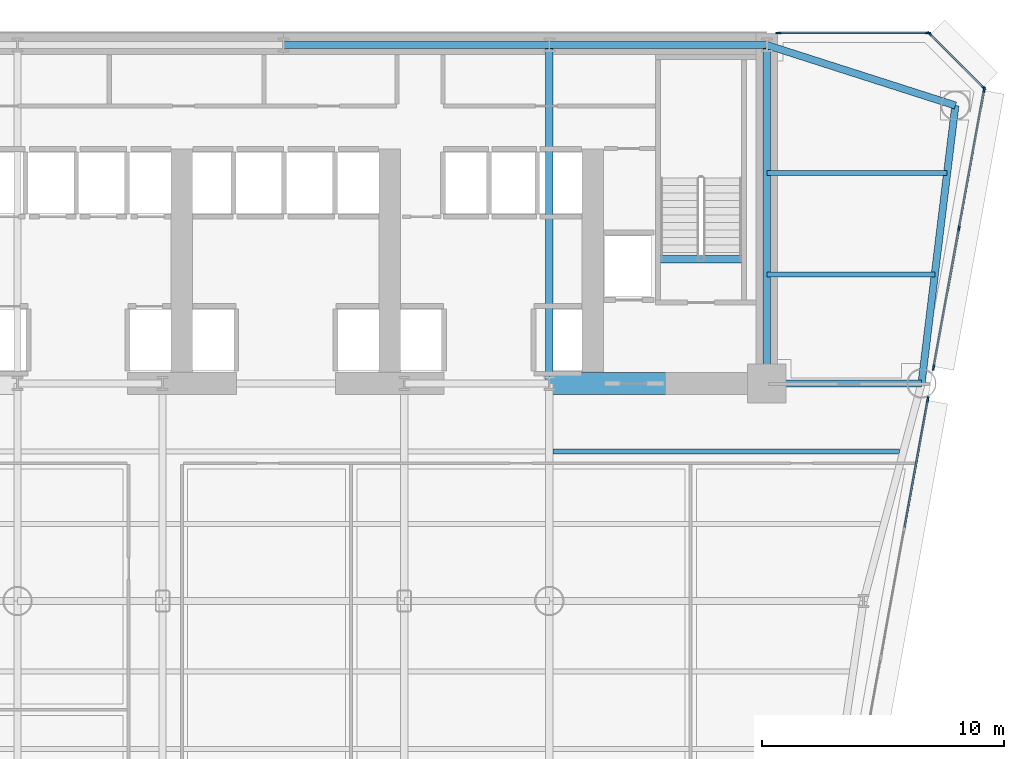
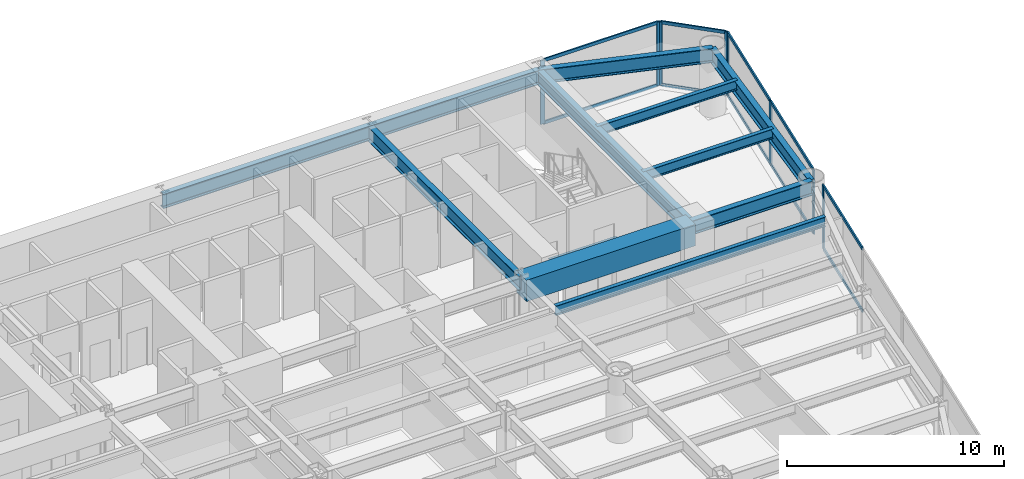
# One storey, part 6 of 14: 18 members, 12 beams, 4 elements without a shape of their own.
"""IFC4 building model written with IfcOpenShell, lengths in metres."""

from ifc_helpers import new_model, si_unit, direction, frame, origin, origin_2d, place, context, subcontext, project, spatial, rectangle, i_section, extrude, source, transform, mapped, material, layer, layer_set, material_profile, profile_set, type_object, element, aggregate, save


model = new_model("IFC4")

# Units and contexts
model_context = context("Model", 3, precision=1e-05, world=origin(), true_north=direction((0.0, 1.0)))
body_context = subcontext(model_context, "Body", "Model", "MODEL_VIEW")
ifc_project = project(units=[si_unit("LENGTHUNIT", "METRE"), si_unit("AREAUNIT", "SQUARE_METRE"), si_unit("VOLUMEUNIT", "CUBIC_METRE"), si_unit("PLANEANGLEUNIT", "RADIAN"), si_unit("MASSUNIT", "GRAM", prefix="KILO")], contexts=[model_context])

# Site, building, storey
site_placement = place(None, origin())
site = spatial("IfcSite", under=ifc_project, at=site_placement, CompositionType="ELEMENT")
building_placement = place(site_placement, origin())
building = spatial("IfcBuilding", under=site, at=building_placement, Name="Vaeldorn Concourse Tower", CompositionType="ELEMENT")
storey_placement = place(building_placement, frame((0.0, 0.0, 41.60009765625)))
storey = spatial("IfcBuildingStorey", under=building, at=storey_placement, Name="L10", CompositionType="ELEMENT", Elevation=41.60009765625)

# Beams
ifc_material_1 = material(Name="Concrete C60/75", Category="concrete")
ifc_material_profile_1 = material_profile(ifc_material_1, rectangle(XDim=0.89990234375, YDim=1.199951171875, at=origin_2d()), Name="RC 900x1200")
ifc_profile_set_1 = profile_set([ifc_material_profile_1], Name="Concrete C60/75")
beam_type_1 = type_object("IfcBeamType", Name="BM-CB-RC900", PredefinedType="BEAM", material=ifc_profile_set_1)
shared_shape_1 = source(origin(), body_context, "Body", "SweptSolid", [
    extrude(rectangle(XDim=0.89990234375, YDim=1.199951171875, at=origin_2d()), origin(), (0.0, 0.0, 1.0), 9.0),
])
beam_1_placement = place(storey_placement, frame((45.0, 36.5, 2.97998046875), z_axis=(1.0, 0.0, 0.0), x_axis=(0.0, 1.0, 0.0)))
element("IfcBeam", 1, at=beam_1_placement, inside=storey, type_object=beam_type_1, Name="Core Coupling Beam L10-2", PredefinedType="BEAM", context=body_context, shape_type="MappedRepresentation", body=[
    mapped(shared_shape_1, transform((0.0, 0.0, 0.0), scale=1.0)),
])
ifc_material_2 = material(Name="Steel S355", Category="steel")
ifc_material_profile_2 = material_profile(ifc_material_2, i_section(OverallWidth=0.300048828125, OverallDepth=0.340087890625, WebThickness=0.011962890625, FlangeThickness=0.021484375, FilletRadius=0.027099609375, at=origin_2d()), Name="HEB 340")
ifc_profile_set_2 = profile_set([ifc_material_profile_2], Name="Steel S355")
beam_type_2 = type_object("IfcBeamType", Name="BM-ST-TRIM", PredefinedType="BEAM", material=ifc_profile_set_2)
shared_shape_2 = source(origin(), body_context, "Body", "SweptSolid", [
    extrude(i_section(OverallWidth=0.300048828125, OverallDepth=0.340087890625, WebThickness=0.011962890625, FlangeThickness=0.021484375, FilletRadius=0.027099609375, at=origin_2d()), origin(), (0.0, 0.0, 1.0), 3.590087890625),
])
beam_2_placement = place(storey_placement, frame((49.47998046875, 41.639892578125, -0.39013671875), z_axis=(1.0, 0.0, 0.0), x_axis=(0.0, 1.0, 0.0)))
element("IfcBeam", 2, at=beam_2_placement, inside=storey, type_object=beam_type_2, Name="Stair Landing Trimmer Beam ST-2 L10", PredefinedType="BEAM", context=body_context, shape_type="MappedRepresentation", body=[
    mapped(shared_shape_2, transform((0.0, 0.0, 0.0), scale=1.0)),
])
ifc_material_profile_3 = material_profile(ifc_material_2, i_section(OverallWidth=0.300048828125, OverallDepth=0.800048828125, WebThickness=0.017578125, FlangeThickness=0.032958984375, FilletRadius=0.030029296875, at=origin_2d()), Name="HEB 800")
ifc_profile_set_3 = profile_set([ifc_material_profile_3], Name="Steel S355")
beam_type_3 = type_object("IfcBeamType", Name="BM-PG-HEB800", PredefinedType="BEAM", material=ifc_profile_set_3)
shared_shape_3 = source(origin(), body_context, "Body", "SweptSolid", [
    extrude(i_section(OverallWidth=0.300048828125, OverallDepth=0.800048828125, WebThickness=0.017578125, FlangeThickness=0.032958984375, FilletRadius=0.030029296875, at=origin_2d()), origin(), (0.0, 0.0, 1.0), 9.0),
])
beam_3_placement = place(storey_placement, frame((45.0, 50.5, 3.179931640625), z_axis=(1.0, 0.0, 0.0), x_axis=(0.0, 1.0, 0.0)))
element("IfcBeam", 3, at=beam_3_placement, inside=storey, type_object=beam_type_3, Name="Beam BM-L10-C-HC4-C-HC5", PredefinedType="BEAM", context=body_context, shape_type="MappedRepresentation", body=[
    mapped(shared_shape_3, transform((0.0, 0.0, 0.0), scale=1.0)),
])
shared_shape_4 = source(origin(), body_context, "Body", "SweptSolid", [
    extrude(i_section(OverallWidth=0.300048828125, OverallDepth=0.800048828125, WebThickness=0.017578125, FlangeThickness=0.032958984375, FilletRadius=0.030029296875, at=origin_2d()), origin(), (0.0, 0.0, 1.0), 11.0),
])
beam_4_placement = place(storey_placement, frame((34.0, 50.5, 3.179931640625), z_axis=(1.0, 0.0, 0.0), x_axis=(0.0, 1.0, 0.0)))
element("IfcBeam", 4, at=beam_4_placement, inside=storey, type_object=beam_type_3, Name="Beam BM-L10-C-HC3-C-HC4", PredefinedType="BEAM", context=body_context, shape_type="MappedRepresentation", body=[
    mapped(shared_shape_4, transform((0.0, 0.0, 0.0), scale=1.0)),
])
shared_shape_5 = source(origin(), body_context, "Body", "SweptSolid", [
    extrude(i_section(OverallWidth=0.300048828125, OverallDepth=0.800048828125, WebThickness=0.017578125, FlangeThickness=0.032958984375, FilletRadius=0.030029296875, at=origin_2d()), origin(), (0.0, 0.0, 1.0), 14.0),
])
for number, where, z_axis, x_axis, name in (
    (5, (45.0, 36.5, 3.179931640625), (0.0, 1.0, 0.0), (-1.0, 0.0, 0.0), "Beam BM-L10-C-FC5-C-HC4"),
    (6, (54.0, 36.5, 3.179931640625), (0.0, 1.0, 0.0), (-1.0, 0.0, 0.0), "Beam BM-L10-C-FC6-C-HC5"),
):
    element("IfcBeam", number, at=place(storey_placement, frame(where, z_axis=z_axis, x_axis=x_axis)), inside=storey, type_object=beam_type_3, Name=name, PredefinedType="BEAM", context=body_context, shape_type="MappedRepresentation", body=[
        mapped(shared_shape_5, transform((0.0, 0.0, 0.0), scale=1.0)),
    ])
shared_shape_6 = source(origin(), body_context, "Body", "SweptSolid", [
    extrude(i_section(OverallWidth=0.300048828125, OverallDepth=0.800048828125, WebThickness=0.017578125, FlangeThickness=0.032958984375, FilletRadius=0.030029296875, at=origin_2d()), origin(), (0.0, 0.0, 1.0), 8.19091796875),
])
beam_5_placement = place(storey_placement, frame((54.0, 50.5, 3.179931640625), z_axis=(0.952282843383, -0.305216949396, 0.0), x_axis=(0.305216949396, 0.952282843383, 0.0)))
element("IfcBeam", 7, at=beam_5_placement, inside=storey, type_object=beam_type_3, Name="Beam BM-L10-C-HC5-C-NE1", PredefinedType="BEAM", context=body_context, shape_type="MappedRepresentation", body=[
    mapped(shared_shape_6, transform((0.0, 0.0, 0.0), scale=1.0)),
])
shared_shape_7 = source(origin(), body_context, "Body", "SweptSolid", [
    extrude(i_section(OverallWidth=0.300048828125, OverallDepth=0.800048828125, WebThickness=0.017578125, FlangeThickness=0.032958984375, FilletRadius=0.030029296875, at=origin_2d()), origin(), (0.0, 0.0, 1.0), 11.5849609375),
])
beam_6_placement = place(storey_placement, frame((61.800048828125, 48.0, 3.179931640625), z_axis=(-0.120859382899, -0.992669637677, 0.0), x_axis=(0.992669637677, -0.120859382899, 0.0)))
element("IfcBeam", 8, at=beam_6_placement, inside=storey, type_object=beam_type_3, Name="Beam BM-L10-C-NE1-C-NE2", PredefinedType="BEAM", context=body_context, shape_type="MappedRepresentation", body=[
    mapped(shared_shape_7, transform((0.0, 0.0, 0.0), scale=1.0)),
])
shared_shape_8 = source(origin(), body_context, "Body", "SweptSolid", [
    extrude(i_section(OverallWidth=0.300048828125, OverallDepth=0.800048828125, WebThickness=0.017578125, FlangeThickness=0.032958984375, FilletRadius=0.030029296875, at=origin_2d()), origin(), (0.0, 0.0, 1.0), 6.39990234375),
])
beam_7_placement = place(storey_placement, frame((54.0, 36.5, 3.179931640625), z_axis=(1.0, 0.0, 0.0), x_axis=(0.0, 1.0, 0.0)))
element("IfcBeam", 9, at=beam_7_placement, inside=storey, type_object=beam_type_3, Name="Beam BM-L10-C-FC6-C-NE2", PredefinedType="BEAM", context=body_context, shape_type="MappedRepresentation", body=[
    mapped(shared_shape_8, transform((0.0, 0.0, 0.0), scale=1.0)),
])
ifc_material_profile_4 = material_profile(ifc_material_2, i_section(OverallWidth=0.2099609375, OverallDepth=0.550048828125, WebThickness=0.010986328125, FlangeThickness=0.01708984375, FilletRadius=0.02392578125, at=origin_2d()), Name="IPE 550")
ifc_profile_set_4 = profile_set([ifc_material_profile_4], Name="Steel S355")
beam_type_4 = type_object("IfcBeamType", Name="BM-JS-IPE550", PredefinedType="JOIST", material=ifc_profile_set_4)
shared_shape_9 = source(origin(), body_context, "Body", "SweptSolid", [
    extrude(i_section(OverallWidth=0.2099609375, OverallDepth=0.550048828125, WebThickness=0.010986328125, FlangeThickness=0.01708984375, FilletRadius=0.02392578125, at=origin_2d()), origin(), (0.0, 0.0, 1.0), 6.94775390625),
])
beam_8_placement = place(storey_placement, frame((54.0, 41.0, 3.304931640625), z_axis=(1.0, 0.0, 0.0), x_axis=(0.0, 1.0, 0.0)))
element("IfcBeam", 10, at=beam_8_placement, inside=storey, type_object=beam_type_4, Name="Beam JS-L10-NE-410", PredefinedType="JOIST", context=body_context, shape_type="MappedRepresentation", body=[
    mapped(shared_shape_9, transform((0.0, 0.0, 0.0), scale=1.0)),
])
shared_shape_10 = source(origin(), body_context, "Body", "SweptSolid", [
    extrude(i_section(OverallWidth=0.2099609375, OverallDepth=0.550048828125, WebThickness=0.010986328125, FlangeThickness=0.01708984375, FilletRadius=0.02392578125, at=origin_2d()), origin(), (0.0, 0.0, 1.0), 7.458984375),
])
beam_9_placement = place(storey_placement, frame((54.0, 45.199951171875, 3.304931640625), z_axis=(1.0, 0.0, 0.0), x_axis=(0.0, 1.0, 0.0)))
element("IfcBeam", 11, at=beam_9_placement, inside=storey, type_object=beam_type_4, Name="Beam JS-L10-NE-452", PredefinedType="JOIST", context=body_context, shape_type="MappedRepresentation", body=[
    mapped(shared_shape_10, transform((0.0, 0.0, 0.0), scale=1.0)),
])
shared_shape_11 = source(origin(), body_context, "Body", "SweptSolid", [
    extrude(i_section(OverallWidth=0.2099609375, OverallDepth=0.550048828125, WebThickness=0.010986328125, FlangeThickness=0.01708984375, FilletRadius=0.02392578125, at=origin_2d()), origin(), (0.0, 0.0, 1.0), 14.34814453125),
])
beam_10_placement = place(storey_placement, frame((45.14990234375, 33.679931640625, 3.304931640625), z_axis=(1.0, 0.0, 0.0), x_axis=(0.0, 1.0, 0.0)))
element("IfcBeam", 12, at=beam_10_placement, inside=storey, type_object=beam_type_4, Name="Beam JS-L10-E1-336", PredefinedType="JOIST", context=body_context, shape_type="MappedRepresentation", body=[
    mapped(shared_shape_11, transform((0.0, 0.0, 0.0), scale=1.0)),
])

# Curtain wall, member
ifc_material_3 = material(Name="Anodised Bronze Aluminium", Category="aluminium")
ifc_layer = layer(ifc_material_3, 0.219970703125)
ifc_layer_set = layer_set([ifc_layer], Name="Anodised Bronze Aluminium")
curtain_wall_type = type_object("IfcCurtainWallType", Name="CW-SYS-01", PredefinedType="NOTDEFINED", material=ifc_layer_set)
curtain_wall_1_placement = place(storey_placement, origin())
curtain_wall_1 = element("IfcCurtainWall", 13, at=curtain_wall_1_placement, inside=storey, type_object=curtain_wall_type, Name="Unitised Curtain Wall CW-L10-E07-1", PredefinedType="NOTDEFINED")
ifc_material_profile_5 = material_profile(ifc_material_3, rectangle(XDim=0.074951171875, YDim=0.219970703125, at=origin_2d()), Name="CWM 75x220")
ifc_profile_set_5 = profile_set([ifc_material_profile_5], Name="Anodised Bronze Aluminium")
member_type_1 = type_object("IfcMemberType", Name="CWM-BRONZE-220", PredefinedType="MULLION", material=ifc_profile_set_5)
shared_shape_12 = source(origin(), body_context, "Body", "SweptSolid", [
    extrude(rectangle(XDim=0.074951171875, YDim=0.219970703125, at=origin_2d()), origin(), (0.0, 0.0, 1.0), 3.579833984375),
])
member_1_placement = place(storey_placement, frame((60.66162109375, 35.843505859375, 0.0), z_axis=(0.0, 0.0, 1.0), x_axis=(-0.983859281973, 0.178943883036, 0.0)))
member_1 = element("IfcMember", 14, at=member_1_placement, type_object=member_type_1, Name="CW-01 mullion 7", PredefinedType="MULLION", context=body_context, shape_type="MappedRepresentation", body=[
    mapped(shared_shape_12, transform((0.0, 0.0, 0.0), scale=1.0)),
])

# Curtain wall, members
curtain_wall_2_placement = place(storey_placement, origin())
curtain_wall_2 = element("IfcCurtainWall", 15, at=curtain_wall_2_placement, inside=storey, type_object=curtain_wall_type, Name="Unitised Curtain Wall CW-L10-E07-2", PredefinedType="NOTDEFINED")
member_2_placement = place(storey_placement, frame((60.900390625, 37.156494140625, 0.0), z_axis=(0.0, 0.0, 1.0), x_axis=(-0.98385862569, 0.178947491334, 0.0)))
member_2 = element("IfcMember", 16, at=member_2_placement, type_object=member_type_1, Name="CW-01 mullion 1", PredefinedType="MULLION", context=body_context, shape_type="MappedRepresentation", body=[
    mapped(shared_shape_12, transform((0.0, 0.0, 0.0), scale=1.0)),
])
member_3_placement = place(storey_placement, frame((61.94677734375, 42.90966796875, 0.0), z_axis=(0.0, 0.0, 1.0), x_axis=(-0.98385862569, 0.178947491334, 0.0)))
member_3 = element("IfcMember", 17, at=member_3_placement, type_object=member_type_1, Name="CW-01 mullion 2", PredefinedType="MULLION", context=body_context, shape_type="MappedRepresentation", body=[
    mapped(shared_shape_12, transform((0.0, 0.0, 0.0), scale=1.0)),
])
member_4_placement = place(storey_placement, frame((62.993408203125, 48.6630859375, 0.0), z_axis=(0.0, 0.0, 1.0), x_axis=(-0.98385862569, 0.178947491334, 0.0)))
member_4 = element("IfcMember", 18, at=member_4_placement, type_object=member_type_1, Name="CW-01 mullion 3", PredefinedType="MULLION", context=body_context, shape_type="MappedRepresentation", body=[
    mapped(shared_shape_12, transform((0.0, 0.0, 0.0), scale=1.0)),
])

curtain_wall_3_placement = place(storey_placement, origin())
curtain_wall_3 = element("IfcCurtainWall", 19, at=curtain_wall_3_placement, inside=storey, type_object=curtain_wall_type, Name="Unitised Curtain Wall CW-L10-E08-1", PredefinedType="NOTDEFINED")
member_5_placement = place(storey_placement, frame((62.973388671875, 48.7265625, 0.0), z_axis=(0.0, 0.0, 1.0), x_axis=(-0.707106781187, -0.707106781187, 0.0)))
member_5 = element("IfcMember", 20, at=member_5_placement, type_object=member_type_1, Name="CW-01 mullion 1", PredefinedType="MULLION", context=body_context, shape_type="MappedRepresentation", body=[
    mapped(shared_shape_12, transform((0.0, 0.0, 0.0), scale=1.0)),
])
member_6_placement = place(storey_placement, frame((60.7265625, 50.973388671875, 0.0), z_axis=(0.0, 0.0, 1.0), x_axis=(-0.707106781187, -0.707106781187, 0.0)))
member_6 = element("IfcMember", 21, at=member_6_placement, type_object=member_type_1, Name="CW-01 mullion 2", PredefinedType="MULLION", context=body_context, shape_type="MappedRepresentation", body=[
    mapped(shared_shape_12, transform((0.0, 0.0, 0.0), scale=1.0)),
])

curtain_wall_4_placement = place(storey_placement, origin())
curtain_wall_4 = element("IfcCurtainWall", 22, at=curtain_wall_4_placement, inside=storey, type_object=curtain_wall_type, Name="Unitised Curtain Wall CW-L10-E09-1", PredefinedType="NOTDEFINED")
member_7_placement = place(storey_placement, frame((60.66259765625, 51.0, 0.0), z_axis=(0.0, 0.0, 1.0), x_axis=(0.0, -1.0, 0.0)))
member_7 = element("IfcMember", 23, at=member_7_placement, type_object=member_type_1, Name="CW-01 mullion 1", PredefinedType="MULLION", context=body_context, shape_type="MappedRepresentation", body=[
    mapped(shared_shape_12, transform((0.0, 0.0, 0.0), scale=1.0)),
])
member_8_placement = place(storey_placement, frame((54.482421875, 51.0, 0.0), z_axis=(0.0, 0.0, 1.0), x_axis=(0.0, -1.0, 0.0)))
member_8 = element("IfcMember", 24, at=member_8_placement, type_object=member_type_1, Name="CW-01 mullion 2", PredefinedType="MULLION", context=body_context, shape_type="MappedRepresentation", body=[
    mapped(shared_shape_12, transform((0.0, 0.0, 0.0), scale=1.0)),
])

# Member
ifc_material_profile_6 = material_profile(ifc_material_3, rectangle(XDim=0.074951171875, YDim=0.179931640625, at=origin_2d()), Name="CWT 75x180")
ifc_profile_set_6 = profile_set([ifc_material_profile_6], Name="Anodised Bronze Aluminium")
member_type_2 = type_object("IfcMemberType", Name="CWT-BRONZE-180", PredefinedType="USERDEFINED", material=ifc_profile_set_6)
shared_shape_13 = source(origin(), body_context, "Body", "SweptSolid", [
    extrude(rectangle(XDim=0.074951171875, YDim=0.179931640625, at=origin_2d()), origin(), (0.0, 0.0, 1.0), 3.10302734375),
])
member_9_placement = place(storey_placement, frame((62.947021484375, 48.7529296875, 0.037353515625), z_axis=(-0.707106781187, 0.707106781187, 0.0), x_axis=(-0.707106781187, -0.707106781187, 0.0)))
member_9 = element("IfcMember", 25, at=member_9_placement, type_object=member_type_2, Name="CW-01 transom 1.1", ObjectType="TRANSOM", PredefinedType="USERDEFINED", context=body_context, shape_type="MappedRepresentation", body=[
    mapped(shared_shape_13, transform((0.0, 0.0, 0.0), scale=1.0)),
])

member_10_placement = place(storey_placement, frame((62.947021484375, 48.7529296875, 3.54248046875), z_axis=(-0.707106781187, 0.707106781187, 0.0), x_axis=(-0.707106781187, -0.707106781187, 0.0)))
member_10 = element("IfcMember", 26, at=member_10_placement, type_object=member_type_2, Name="CW-01 transom 1.2", ObjectType="TRANSOM", PredefinedType="USERDEFINED", context=body_context, shape_type="MappedRepresentation", body=[
    mapped(shared_shape_13, transform((0.0, 0.0, 0.0), scale=1.0)),
])

aggregate(curtain_wall_3, [member_5, member_6, member_9, member_10])

shared_shape_14 = source(origin(), body_context, "Body", "SweptSolid", [
    extrude(rectangle(XDim=0.074951171875, YDim=0.179931640625, at=origin_2d()), origin(), (0.0, 0.0, 1.0), 6.10498046875),
])
member_11_placement = place(storey_placement, frame((60.625, 51.0, 0.037353515625), z_axis=(-1.0, 0.0, 0.0), x_axis=(0.0, -1.0, 0.0)))
member_11 = element("IfcMember", 27, at=member_11_placement, type_object=member_type_2, Name="CW-01 transom 1.1", ObjectType="TRANSOM", PredefinedType="USERDEFINED", context=body_context, shape_type="MappedRepresentation", body=[
    mapped(shared_shape_14, transform((0.0, 0.0, 0.0), scale=1.0)),
])

member_12_placement = place(storey_placement, frame((60.625, 51.0, 3.54248046875), z_axis=(-1.0, 0.0, 0.0), x_axis=(0.0, -1.0, 0.0)))
member_12 = element("IfcMember", 28, at=member_12_placement, type_object=member_type_2, Name="CW-01 transom 1.2", ObjectType="TRANSOM", PredefinedType="USERDEFINED", context=body_context, shape_type="MappedRepresentation", body=[
    mapped(shared_shape_14, transform((0.0, 0.0, 0.0), scale=1.0)),
])

aggregate(curtain_wall_4, [member_7, member_8, member_11, member_12])

shared_shape_15 = source(origin(), body_context, "Body", "SweptSolid", [
    extrude(rectangle(XDim=0.074951171875, YDim=0.179931640625, at=origin_2d()), origin(), (0.0, 0.0, 1.0), 5.772705078125),
])
member_13_placement = place(storey_placement, frame((60.9072265625, 37.193359375, 0.037353515625), z_axis=(0.178941264541, 0.98385975822, 0.0), x_axis=(-0.98385975822, 0.178941264541, 0.0)))
member_13 = element("IfcMember", 29, at=member_13_placement, type_object=member_type_2, Name="CW-01 transom 1.1", ObjectType="TRANSOM", PredefinedType="USERDEFINED", context=body_context, shape_type="MappedRepresentation", body=[
    mapped(shared_shape_15, transform((0.0, 0.0, 0.0), scale=1.0)),
])

member_14_placement = place(storey_placement, frame((60.9072265625, 37.193359375, 3.54248046875), z_axis=(0.178941264541, 0.98385975822, 0.0), x_axis=(-0.98385975822, 0.178941264541, 0.0)))
member_14 = element("IfcMember", 30, at=member_14_placement, type_object=member_type_2, Name="CW-01 transom 1.2", ObjectType="TRANSOM", PredefinedType="USERDEFINED", context=body_context, shape_type="MappedRepresentation", body=[
    mapped(shared_shape_15, transform((0.0, 0.0, 0.0), scale=1.0)),
])

shared_shape_16 = source(origin(), body_context, "Body", "SweptSolid", [
    extrude(rectangle(XDim=0.074951171875, YDim=0.179931640625, at=origin_2d()), origin(), (0.0, 0.0, 1.0), 5.3330078125),
])
member_15_placement = place(storey_placement, frame((59.70068359375, 30.559814453125, 0.037353515625), z_axis=(0.17895392461, 0.983857455563, 0.0), x_axis=(-0.983857455563, 0.17895392461, 0.0)))
member_15 = element("IfcMember", 31, at=member_15_placement, type_object=member_type_2, Name="CW-01 transom 6.1", ObjectType="TRANSOM", PredefinedType="USERDEFINED", context=body_context, shape_type="MappedRepresentation", body=[
    mapped(shared_shape_16, transform((0.0, 0.0, 0.0), scale=1.0)),
])

member_16_placement = place(storey_placement, frame((59.70068359375, 30.559814453125, 3.54248046875), z_axis=(0.17895392461, 0.983857455563, 0.0), x_axis=(-0.983857455563, 0.17895392461, 0.0)))
member_16 = element("IfcMember", 32, at=member_16_placement, type_object=member_type_2, Name="CW-01 transom 6.2", ObjectType="TRANSOM", PredefinedType="USERDEFINED", context=body_context, shape_type="MappedRepresentation", body=[
    mapped(shared_shape_16, transform((0.0, 0.0, 0.0), scale=1.0)),
])

aggregate(curtain_wall_1, [member_1, member_15, member_16])

shared_shape_17 = source(origin(), body_context, "Body", "SweptSolid", [
    extrude(rectangle(XDim=0.074951171875, YDim=0.179931640625, at=origin_2d()), origin(), (0.0, 0.0, 1.0), 5.77294921875),
])
member_17_placement = place(storey_placement, frame((61.95361328125, 42.946533203125, 0.037353515625), z_axis=(0.178933819049, 0.983861112353, 0.0), x_axis=(-0.983861112353, 0.178933819049, 0.0)))
member_17 = element("IfcMember", 33, at=member_17_placement, type_object=member_type_2, Name="CW-01 transom 2.1", ObjectType="TRANSOM", PredefinedType="USERDEFINED", context=body_context, shape_type="MappedRepresentation", body=[
    mapped(shared_shape_17, transform((0.0, 0.0, 0.0), scale=1.0)),
])

member_18_placement = place(storey_placement, frame((61.95361328125, 42.946533203125, 3.54248046875), z_axis=(0.178933819049, 0.983861112353, 0.0), x_axis=(-0.983861112353, 0.178933819049, 0.0)))
member_18 = element("IfcMember", 34, at=member_18_placement, type_object=member_type_2, Name="CW-01 transom 2.2", ObjectType="TRANSOM", PredefinedType="USERDEFINED", context=body_context, shape_type="MappedRepresentation", body=[
    mapped(shared_shape_17, transform((0.0, 0.0, 0.0), scale=1.0)),
])

aggregate(curtain_wall_2, [member_2, member_3, member_4, member_13, member_14, member_17, member_18])

save(model, "model.ifc")
